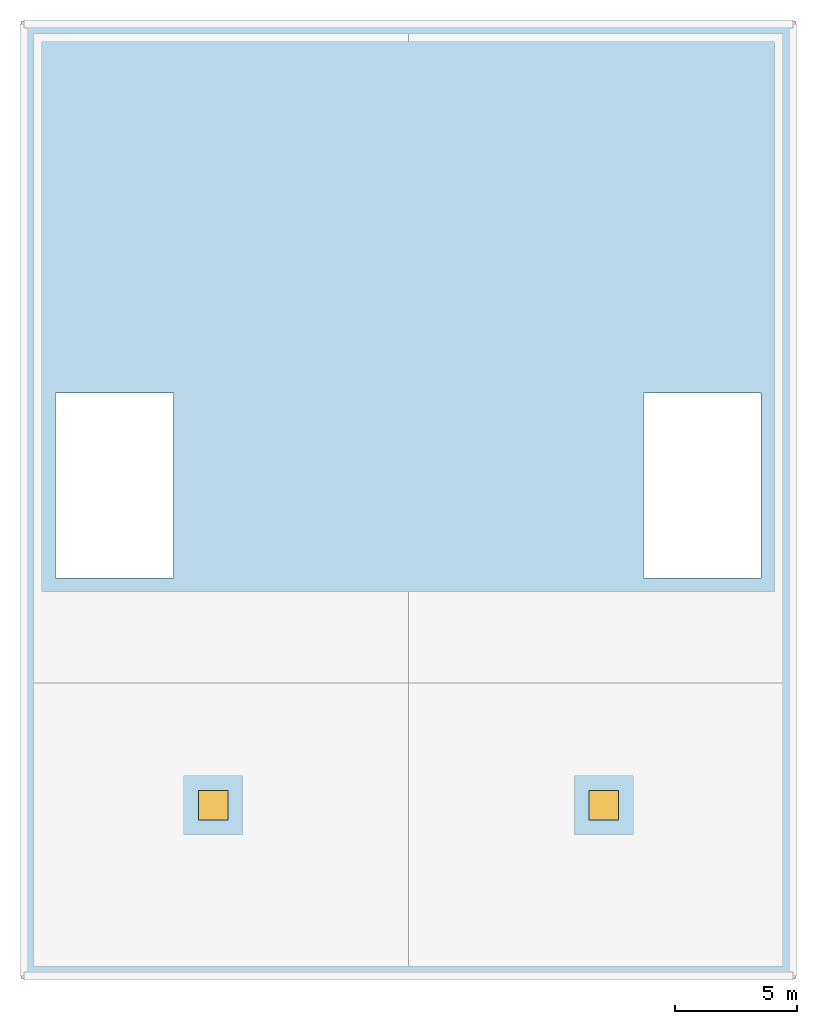
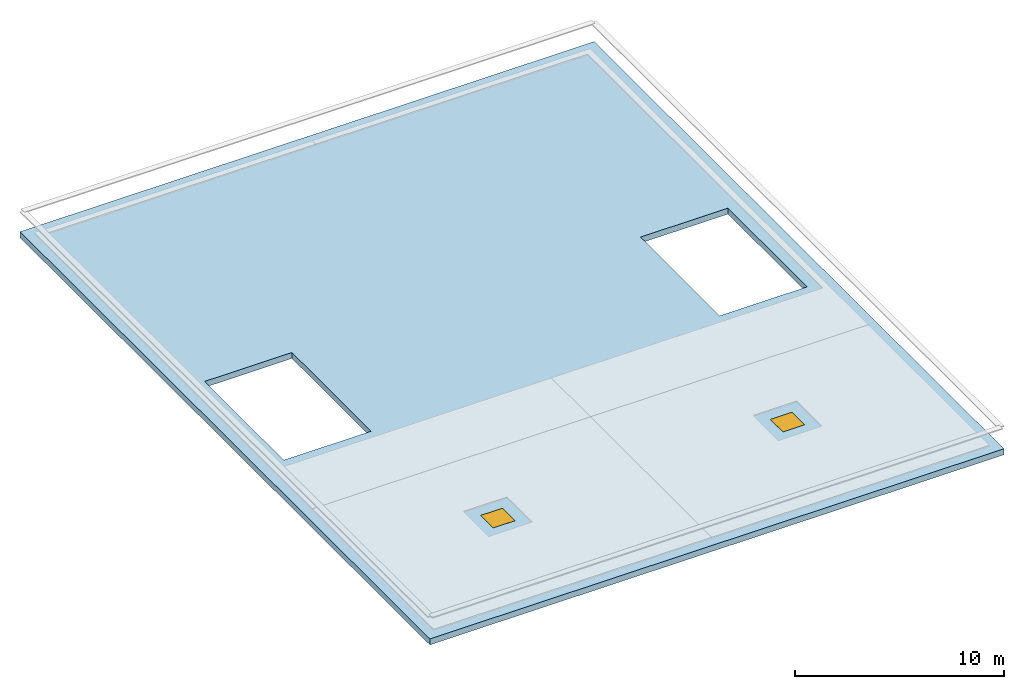
# One storey, part 1 of 2: 2 windows, 1 slab, 2 openings.
"""IFC4 building model written with IfcOpenShell, lengths in metres."""

from ifc_helpers import new_model, si_unit, direction, frame, origin, origin_2d, place, context, subcontext, project, spatial, polyline, rectangle, outline, extrude, material, layer, layer_set, type_object, element, fill, save


model = new_model("IFC4")

# Units and contexts
model_context = context("Model", 3, precision=1e-05, world=origin(), true_north=direction((0.0, 1.0)))
body_context = subcontext(model_context, "Body", "Model", "MODEL_VIEW")
ifc_project = project(units=[si_unit("LENGTHUNIT", "METRE"), si_unit("AREAUNIT", "SQUARE_METRE"), si_unit("VOLUMEUNIT", "CUBIC_METRE"), si_unit("PLANEANGLEUNIT", "RADIAN"), si_unit("MASSUNIT", "GRAM", prefix="KILO")], contexts=[model_context])

# Site, building, storey
site_placement = place(None, origin())
site = spatial("IfcSite", under=ifc_project, at=site_placement, CompositionType="ELEMENT")
building_placement = place(site_placement, origin())
building = spatial("IfcBuilding", under=site, at=building_placement, Name="Pilkhan Gate Tower", CompositionType="ELEMENT")
storey_placement = place(building_placement, frame((0.0, 0.0, 299.89990234375)))
storey = spatial("IfcBuildingStorey", under=building, at=storey_placement, Name="ROOF", CompositionType="ELEMENT", Elevation=299.89990234375)

# Slab, openings, windows
ifc_material_1 = material(Name="Concrete C40/50", Category="concrete")
ifc_layer = layer(ifc_material_1, 0.35009765625)
ifc_layer_set = layer_set([ifc_layer], Name="Roof slab RO350")
slab_type = type_object("IfcSlabType", Name="Roof slab RO350", PredefinedType="ROOF", material=ifc_layer_set)
slab_placement = place(storey_placement, frame((0.0, 0.0, -0.349853515625)))
slab = element("IfcSlab", 1, at=slab_placement, inside=storey, type_object=slab_type, Name="Roof slab", PredefinedType="ROOF", context=body_context, shape_type="SweptSolid", body=[
    extrude(outline(polyline([(90.85009765625, 55.39990234375), (59.14990234375, 55.39990234375), (59.14990234375, 94.60009765625), (90.85009765625, 94.60009765625), (90.85009765625, 55.39990234375)]), holes=[polyline([(84.625, 71.800048828125), (89.449951171875, 71.800048828125), (89.449951171875, 79.375), (84.625, 79.375), (84.625, 71.800048828125)]), polyline([(60.550048828125, 71.800048828125), (65.375, 71.800048828125), (65.375, 79.375), (60.550048828125, 79.375), (60.550048828125, 71.800048828125)])]), origin(), (0.0, 0.0, 1.0), 0.349853515625),
])
opening_1_placement = place(slab_placement, frame((67.0, 62.5, 0.0)))
opening_1 = element("IfcOpeningElement", 2, at=opening_1_placement, cuts=slab, Name="Opening H1", PredefinedType="OPENING", context=body_context, shape_type="SweptSolid", body=[
    extrude(rectangle(XDim=1.199951171875, YDim=1.199951171875, at=origin_2d()), frame((0.0, 0.0, -0.010009765625)), (0.0, 0.0, 1.0), 0.369873046875),
])
opening_2_placement = place(slab_placement, frame((83.0, 62.5, 0.0)))
opening_2 = element("IfcOpeningElement", 3, at=opening_2_placement, cuts=slab, Name="Opening H1", PredefinedType="OPENING", context=body_context, shape_type="SweptSolid", body=[
    extrude(rectangle(XDim=1.199951171875, YDim=1.199951171875, at=origin_2d()), frame((0.0, 0.0, -0.010009765625)), (0.0, 0.0, 1.0), 0.369873046875),
])
ifc_material_2 = material(Name="Galvanised steel insulated hatch", Category="steel")
window_type = type_object("IfcWindowType", Name="Roof access hatch H1 1200x1200", PartitioningType="SINGLE_PANEL", PredefinedType="SKYLIGHT", material=ifc_material_2)
window_1_placement = place(opening_1_placement, frame((0.0, 0.0, 0.2998046875)))
window_1 = element("IfcWindow", 4, at=window_1_placement, inside=storey, type_object=window_type, Name="Roof access hatch", OverallHeight=1.199951171875, OverallWidth=1.199951171875, PartitioningType="SINGLE_PANEL", PredefinedType="SKYLIGHT", context=body_context, shape_type="SweptSolid", body=[
    extrude(rectangle(XDim=1.199951171875, YDim=1.199951171875, at=origin_2d()), origin(), (0.0, 0.0, 1.0), 0.050048828125),
])
fill(opening_1, window_1)
window_2_placement = place(opening_2_placement, frame((0.0, 0.0, 0.2998046875)))
window_2 = element("IfcWindow", 5, at=window_2_placement, inside=storey, type_object=window_type, Name="Roof access hatch", OverallHeight=1.199951171875, OverallWidth=1.199951171875, PartitioningType="SINGLE_PANEL", PredefinedType="SKYLIGHT", context=body_context, shape_type="SweptSolid", body=[
    extrude(rectangle(XDim=1.199951171875, YDim=1.199951171875, at=origin_2d()), origin(), (0.0, 0.0, 1.0), 0.050048828125),
])
fill(opening_2, window_2)

save(model, "model.ifc")
